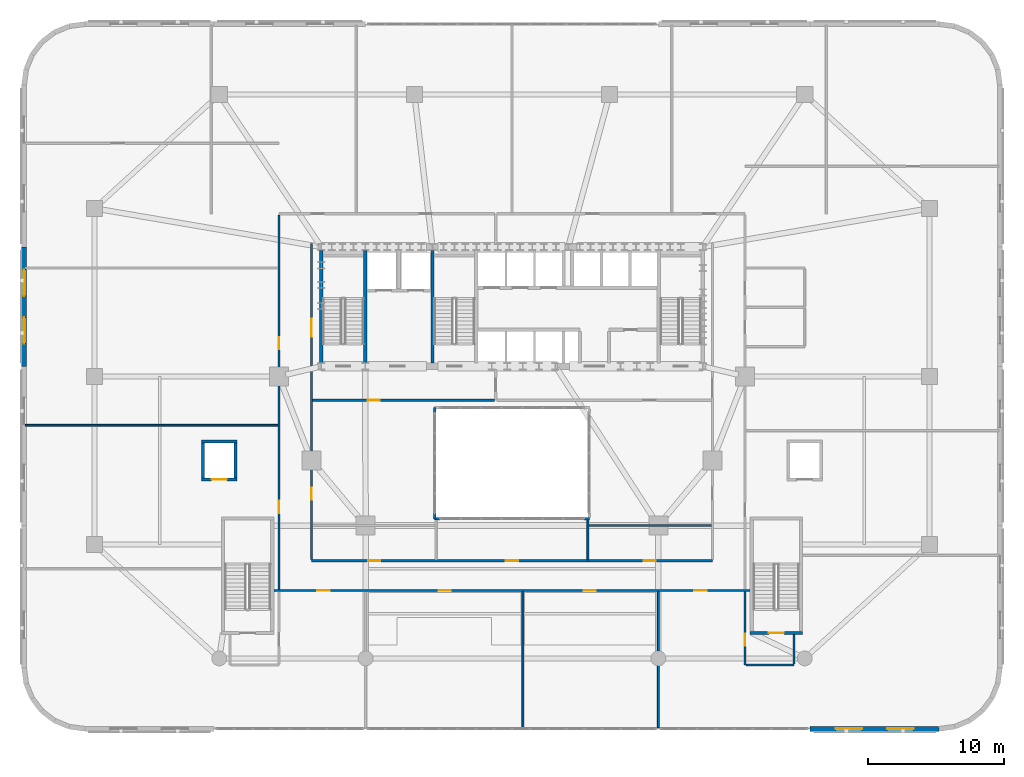
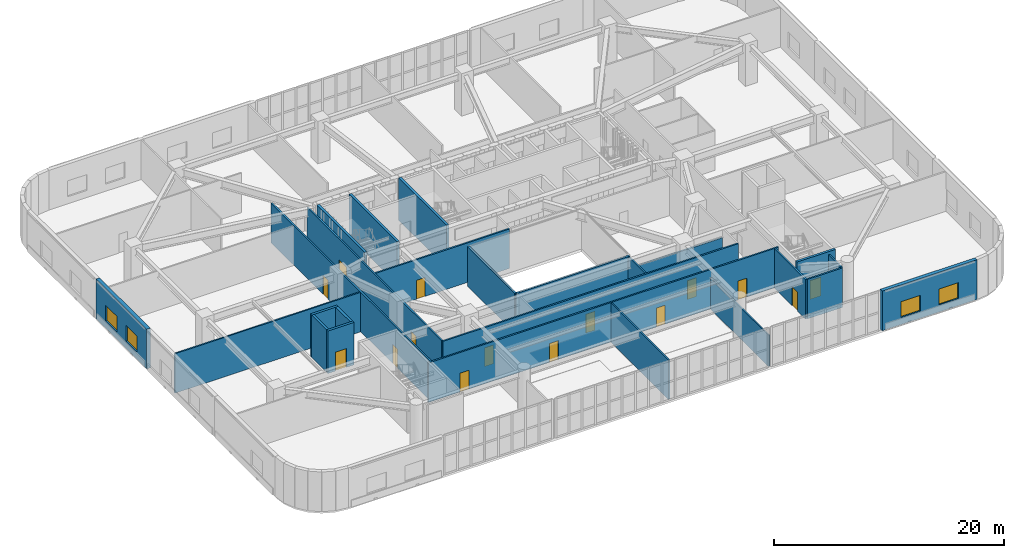
# One storey, part 14 of 25: 25 walls, 15 doors, 4 windows, 19 openings.
"""IFC4 building model written with IfcOpenShell, lengths in metres."""

from ifc_helpers import new_model, si_unit, direction, frame, frame_2d, origin, place, context, subcontext, project, spatial, rectangle, extrude, material, layer, layer_set, type_object, element, fill, save


model = new_model("IFC4")

# Units and contexts
model_context = context("Model", 3, precision=1e-05, world=origin(), true_north=direction((0.0, 1.0)))
body_context = subcontext(model_context, "Body", "Model", "MODEL_VIEW")
ifc_project = project(units=[si_unit("LENGTHUNIT", "METRE"), si_unit("AREAUNIT", "SQUARE_METRE"), si_unit("VOLUMEUNIT", "CUBIC_METRE"), si_unit("PLANEANGLEUNIT", "RADIAN"), si_unit("MASSUNIT", "GRAM", prefix="KILO")], contexts=[model_context])

# Site, building, storey
site_placement = place(None, origin())
site = spatial("IfcSite", under=ifc_project, at=site_placement, CompositionType="ELEMENT")
building_placement = place(site_placement, origin())
building = spatial("IfcBuilding", under=site, at=building_placement, Name="Haldorwick Loom Tower", CompositionType="ELEMENT")
storey_placement = place(building_placement, frame((0.0, 0.0, 10.5)))
storey = spatial("IfcBuildingStorey", under=building, at=storey_placement, Name="L02", CompositionType="ELEMENT", Elevation=10.5)

# Wall, openings, windows
ifc_material_1 = material(Name="Pressed Clay Face Brick and Insulated Masonry Backup Assembly", Category="masonry")
ifc_layer_1 = layer(ifc_material_1, 0.360107421875, Name="Pressed Clay Face Brick and Insulated Masonry Backup Assembly", Category="masonry")
ifc_layer_set_1 = layer_set([ifc_layer_1], Name="Pressed Clay Face Brick and Insulated Masonry Backup Assembly")
wall_type_1 = type_object("IfcWallType", Name="ARC-WL-EXT360", PredefinedType="STANDARD", material=ifc_layer_set_1)
wall_1_placement = place(storey_placement, frame((0.0, 35.550048828125, 0.0), z_axis=(0.0, 0.0, 1.0), x_axis=(0.0, -1.0, 0.0)))
wall_1 = element("IfcWall", 1, at=wall_1_placement, inside=storey, type_object=wall_type_1, Name="L02 Brick Pier and Spandrel Wall 29", PredefinedType="STANDARD", context=body_context, shape_type="SweptSolid", body=[
    extrude(rectangle(XDim=8.800048828125, YDim=0.360107421875, at=frame_2d((4.39990234375, 0.0))), origin(), (0.0, 0.0, 1.0), 4.199951171875),
])
opening_1_placement = place(wall_1_placement, frame((1.6650390625, 0.0, 0.75)))
opening_1 = element("IfcOpeningElement", 2, at=opening_1_placement, cuts=wall_1, Name="Opening W-04B", PredefinedType="OPENING", context=body_context, shape_type="SweptSolid", body=[
    extrude(rectangle(XDim=1.949951171875, YDim=1.679931640625, at=frame_2d((0.97509765625, 0.83984375))), frame((0.0, 0.18994140625, 0.0), z_axis=(0.0, -1.0, 0.0), x_axis=(1.0, 0.0, 0.0)), (0.0, 0.0, 1.0), 0.380126953125),
])
opening_2_placement = place(wall_1_placement, frame((5.18505859375, 0.0, 0.75)))
opening_2 = element("IfcOpeningElement", 3, at=opening_2_placement, cuts=wall_1, Name="Opening W-04B", PredefinedType="OPENING", context=body_context, shape_type="SweptSolid", body=[
    extrude(rectangle(XDim=1.949951171875, YDim=1.679931640625, at=frame_2d((0.97509765625, 0.83984375))), frame((0.0, 0.18994140625, 0.0), z_axis=(0.0, -1.0, 0.0), x_axis=(1.0, 0.0, 0.0)), (0.0, 0.0, 1.0), 0.380126953125),
])
ifc_material_2 = material(Name="Triple-Glazed Low-E Argon Insulated Glazing Unit", Category="glass")
window_type = type_object("IfcWindowType", Name="ARC-WIN-W195", PartitioningType="SINGLE_PANEL", PredefinedType="WINDOW", material=ifc_material_2)
window_1_placement = place(opening_1_placement, origin())
window_1 = element("IfcWindow", 4, at=window_1_placement, inside=storey, type_object=window_type, Name="L02 Deep-Set Zone 7A Window 29", OverallHeight=1.679931640625, OverallWidth=1.949951171875, PartitioningType="SINGLE_PANEL", PredefinedType="WINDOW", context=body_context, shape_type="SweptSolid", body=[
    extrude(rectangle(XDim=1.949951171875, YDim=1.679931640625, at=frame_2d((0.97509765625, 0.83984375))), frame((0.0, 0.030029296875, 0.0), z_axis=(0.0, -1.0, 0.0), x_axis=(1.0, 0.0, 0.0)), (0.0, 0.0, 1.0), 0.06005859375),
])
fill(opening_1, window_1)
window_2_placement = place(opening_2_placement, origin())
window_2 = element("IfcWindow", 5, at=window_2_placement, inside=storey, type_object=window_type, Name="L02 Deep-Set Zone 7A Window 29", OverallHeight=1.679931640625, OverallWidth=1.949951171875, PartitioningType="SINGLE_PANEL", PredefinedType="WINDOW", context=body_context, shape_type="SweptSolid", body=[
    extrude(rectangle(XDim=1.949951171875, YDim=1.679931640625, at=frame_2d((0.97509765625, 0.83984375))), frame((0.0, 0.030029296875, 0.0), z_axis=(0.0, -1.0, 0.0), x_axis=(1.0, 0.0, 0.0)), (0.0, 0.0, 1.0), 0.06005859375),
])
fill(opening_2, window_2)

wall_2_placement = place(storey_placement, frame((58.0, 0.0, 0.0), z_axis=(0.0, 0.0, 1.0), x_axis=(1.0, 0.0, 0.0)))
wall_2 = element("IfcWall", 6, at=wall_2_placement, inside=storey, type_object=wall_type_1, Name="L02 Brick Pier and Spandrel Wall 42", PredefinedType="STANDARD", context=body_context, shape_type="SweptSolid", body=[
    extrude(rectangle(XDim=9.5, YDim=0.360107421875, at=frame_2d((4.75, 0.0))), origin(), (0.0, 0.0, 1.0), 4.199951171875),
])
opening_3_placement = place(wall_2_placement, frame((1.875, 0.0, 0.75)))
opening_3 = element("IfcOpeningElement", 7, at=opening_3_placement, cuts=wall_2, Name="Opening W-04B", PredefinedType="OPENING", context=body_context, shape_type="SweptSolid", body=[
    extrude(rectangle(XDim=1.949951171875, YDim=1.679931640625, at=frame_2d((0.97509765625, 0.83984375))), frame((0.0, 0.18994140625, 0.0), z_axis=(0.0, -1.0, 0.0), x_axis=(1.0, 0.0, 0.0)), (0.0, 0.0, 1.0), 0.380126953125),
])
opening_4_placement = place(wall_2_placement, frame((5.675048828125, 0.0, 0.75)))
opening_4 = element("IfcOpeningElement", 8, at=opening_4_placement, cuts=wall_2, Name="Opening W-04B", PredefinedType="OPENING", context=body_context, shape_type="SweptSolid", body=[
    extrude(rectangle(XDim=1.949951171875, YDim=1.679931640625, at=frame_2d((0.97509765625, 0.83984375))), frame((0.0, 0.18994140625, 0.0), z_axis=(0.0, -1.0, 0.0), x_axis=(1.0, 0.0, 0.0)), (0.0, 0.0, 1.0), 0.380126953125),
])
window_3_placement = place(opening_3_placement, origin())
window_3 = element("IfcWindow", 9, at=window_3_placement, inside=storey, type_object=window_type, Name="L02 Deep-Set Zone 7A Window 42", OverallHeight=1.679931640625, OverallWidth=1.949951171875, PartitioningType="SINGLE_PANEL", PredefinedType="WINDOW", context=body_context, shape_type="SweptSolid", body=[
    extrude(rectangle(XDim=1.949951171875, YDim=1.679931640625, at=frame_2d((0.97509765625, 0.83984375))), frame((0.0, 0.030029296875, 0.0), z_axis=(0.0, -1.0, 0.0), x_axis=(1.0, 0.0, 0.0)), (0.0, 0.0, 1.0), 0.06005859375),
])
fill(opening_3, window_3)
window_4_placement = place(opening_4_placement, origin())
window_4 = element("IfcWindow", 10, at=window_4_placement, inside=storey, type_object=window_type, Name="L02 Deep-Set Zone 7A Window 42", OverallHeight=1.679931640625, OverallWidth=1.949951171875, PartitioningType="SINGLE_PANEL", PredefinedType="WINDOW", context=body_context, shape_type="SweptSolid", body=[
    extrude(rectangle(XDim=1.949951171875, YDim=1.679931640625, at=frame_2d((0.97509765625, 0.83984375))), frame((0.0, 0.030029296875, 0.0), z_axis=(0.0, -1.0, 0.0), x_axis=(1.0, 0.0, 0.0)), (0.0, 0.0, 1.0), 0.06005859375),
])
fill(opening_4, window_4)

# Wall, openings, doors
ifc_material_3 = material(Name="Fire-Rated Type X Gypsum Stud Assembly EI 60")
ifc_layer_2 = layer(ifc_material_3, 0.159912109375, Name="Fire-Rated Type X Gypsum Stud Assembly EI 60")
ifc_layer_set_2 = layer_set([ifc_layer_2], Name="Fire-Rated Type X Gypsum Stud Assembly EI 60")
wall_type_2 = type_object("IfcWallType", Name="ARC-WL-FIRE160", PredefinedType="PARTITIONING", material=ifc_layer_set_2)
wall_3_placement = place(storey_placement, frame((18.443115234375, 10.199951171875, 0.0), z_axis=(0.0, 0.0, 1.0), x_axis=(1.0, 0.0, 0.0)))
wall_3 = element("IfcWall", 11, at=wall_3_placement, inside=storey, type_object=wall_type_2, Name="L02 Podium Partition L02-CS0", PredefinedType="PARTITIONING", context=body_context, shape_type="SweptSolid", body=[
    extrude(rectangle(XDim=35.11376953125, YDim=0.159912109375, at=frame_2d((17.556884765625, 0.0))), origin(), (0.0, 0.0, 1.0), 4.18505859375),
])
opening_5_placement = place(wall_3_placement, frame((12.137939453125, 0.0, 0.0)))
opening_5 = element("IfcOpeningElement", 12, at=opening_5_placement, cuts=wall_3, Name="Opening D-FD60A", PredefinedType="OPENING", context=body_context, shape_type="SweptSolid", body=[
    extrude(rectangle(XDim=0.89990234375, YDim=2.0, at=frame_2d((0.449951171875, 1.0))), frame((0.0, 0.08984375, 0.0), z_axis=(0.0, -1.0, 0.0), x_axis=(1.0, 0.0, 0.0)), (0.0, 0.0, 1.0), 0.179931640625),
])
opening_6_placement = place(wall_3_placement, frame((22.848876953125, 0.0, 0.0)))
opening_6 = element("IfcOpeningElement", 13, at=opening_6_placement, cuts=wall_3, Name="Opening D-FD60A", PredefinedType="OPENING", context=body_context, shape_type="SweptSolid", body=[
    extrude(rectangle(XDim=0.89990234375, YDim=2.0, at=frame_2d((0.449951171875, 1.0))), frame((0.0, 0.08984375, 0.0), z_axis=(0.0, -1.0, 0.0), x_axis=(1.0, 0.0, 0.0)), (0.0, 0.0, 1.0), 0.179931640625),
])
opening_7_placement = place(wall_3_placement, frame((31.02001953125, 0.0, 0.0)))
opening_7 = element("IfcOpeningElement", 14, at=opening_7_placement, cuts=wall_3, Name="Opening D-FD60A", PredefinedType="OPENING", context=body_context, shape_type="SweptSolid", body=[
    extrude(rectangle(XDim=0.89990234375, YDim=2.0, at=frame_2d((0.449951171875, 1.0))), frame((0.0, 0.08984375, 0.0), z_axis=(0.0, -1.0, 0.0), x_axis=(1.0, 0.0, 0.0)), (0.0, 0.0, 1.0), 0.179931640625),
])
opening_8_placement = place(wall_3_placement, frame((3.19384765625, 0.0, 0.0)))
opening_8 = element("IfcOpeningElement", 15, at=opening_8_placement, cuts=wall_3, Name="Opening D-FD60A", PredefinedType="OPENING", context=body_context, shape_type="SweptSolid", body=[
    extrude(rectangle(XDim=0.89990234375, YDim=2.0, at=frame_2d((0.449951171875, 1.0))), frame((0.0, 0.08984375, 0.0), z_axis=(0.0, -1.0, 0.0), x_axis=(1.0, 0.0, 0.0)), (0.0, 0.0, 1.0), 0.179931640625),
])
ifc_material_4 = material(Name="Hollow Steel Fire Door Assembly", Category="steel")
door_type_1 = type_object("IfcDoorType", Name="ARC-DR-FD60-90", OperationType="NOTDEFINED", PredefinedType="DOOR", material=ifc_material_4)
door_1_placement = place(opening_5_placement, origin())
door_1 = element("IfcDoor", 16, at=door_1_placement, inside=storey, type_object=door_type_1, Name="L02 L02 South Clinic Corridor to Primary Care Examination Room 1 Door", OperationType="SINGLE_SWING_RIGHT", OverallHeight=2.0, OverallWidth=0.89990234375, PredefinedType="DOOR", context=body_context, shape_type="SweptSolid", body=[
    extrude(rectangle(XDim=0.89990234375, YDim=2.0, at=frame_2d((0.449951171875, 1.0))), frame((0.0, 0.02490234375, 0.0), z_axis=(0.0, -1.0, 0.0), x_axis=(1.0, 0.0, 0.0)), (0.0, 0.0, 1.0), 0.050048828125),
])
fill(opening_5, door_1)
door_2_placement = place(opening_6_placement, origin())
door_2 = element("IfcDoor", 17, at=door_2_placement, inside=storey, type_object=door_type_1, Name="L02 L02 South Clinic Corridor to Physician Consulting Office 2 Door", OperationType="SINGLE_SWING_LEFT", OverallHeight=2.0, OverallWidth=0.89990234375, PredefinedType="DOOR", context=body_context, shape_type="SweptSolid", body=[
    extrude(rectangle(XDim=0.89990234375, YDim=2.0, at=frame_2d((0.449951171875, 1.0))), frame((0.0, 0.02490234375, 0.0), z_axis=(0.0, -1.0, 0.0), x_axis=(1.0, 0.0, 0.0)), (0.0, 0.0, 1.0), 0.050048828125),
])
fill(opening_6, door_2)
door_3_placement = place(opening_7_placement, origin())
door_3 = element("IfcDoor", 18, at=door_3_placement, inside=storey, type_object=door_type_1, Name="L02 L02 South Clinic Corridor to Outpatient Waiting Hall 4 Door", OperationType="SINGLE_SWING_RIGHT", OverallHeight=2.0, OverallWidth=0.89990234375, PredefinedType="DOOR", context=body_context, shape_type="SweptSolid", body=[
    extrude(rectangle(XDim=0.89990234375, YDim=2.0, at=frame_2d((0.449951171875, 1.0))), frame((0.0, 0.02490234375, 0.0), z_axis=(0.0, -1.0, 0.0), x_axis=(1.0, 0.0, 0.0)), (0.0, 0.0, 1.0), 0.050048828125),
])
fill(opening_7, door_3)
door_4_placement = place(opening_8_placement, origin())
door_4 = element("IfcDoor", 19, at=door_4_placement, inside=storey, type_object=door_type_1, Name="L02 L02 South Clinic Corridor to Outpatient Waiting Hall 3 Door", OperationType="SINGLE_SWING_LEFT", OverallHeight=2.0, OverallWidth=0.89990234375, PredefinedType="DOOR", context=body_context, shape_type="SweptSolid", body=[
    extrude(rectangle(XDim=0.89990234375, YDim=2.0, at=frame_2d((0.449951171875, 1.0))), frame((0.0, 0.02490234375, 0.0), z_axis=(0.0, -1.0, 0.0), x_axis=(1.0, 0.0, 0.0)), (0.0, 0.0, 1.0), 0.050048828125),
])
fill(opening_8, door_4)

wall_4_placement = place(storey_placement, frame((21.199951171875, 12.39990234375, 0.0), z_axis=(0.0, 0.0, 1.0), x_axis=(1.0, 0.0, 0.0)))
wall_4 = element("IfcWall", 20, at=wall_4_placement, inside=storey, type_object=wall_type_2, Name="L02 Podium Partition L02-CS1", PredefinedType="PARTITIONING", context=body_context, shape_type="SweptSolid", body=[
    extrude(rectangle(XDim=29.60009765625, YDim=0.159912109375, at=frame_2d((14.800048828125, 0.0))), origin(), (0.0, 0.0, 1.0), 4.18505859375),
])
opening_9_placement = place(wall_4_placement, frame((14.35009765625, 0.0, 0.0)))
opening_9 = element("IfcOpeningElement", 21, at=opening_9_placement, cuts=wall_4, Name="Opening D-FD60A", PredefinedType="OPENING", context=body_context, shape_type="SweptSolid", body=[
    extrude(rectangle(XDim=0.89990234375, YDim=2.0, at=frame_2d((0.449951171875, 1.0))), frame((0.0, 0.08984375, 0.0), z_axis=(0.0, -1.0, 0.0), x_axis=(1.0, 0.0, 0.0)), (0.0, 0.0, 1.0), 0.179931640625),
])
opening_10_placement = place(wall_4_placement, frame((24.51123046875, 0.0, 0.0)))
opening_10 = element("IfcOpeningElement", 22, at=opening_10_placement, cuts=wall_4, Name="Opening D-FD60A", PredefinedType="OPENING", context=body_context, shape_type="SweptSolid", body=[
    extrude(rectangle(XDim=0.89990234375, YDim=2.0, at=frame_2d((0.449951171875, 1.0))), frame((0.0, 0.08984375, 0.0), z_axis=(0.0, -1.0, 0.0), x_axis=(1.0, 0.0, 0.0)), (0.0, 0.0, 1.0), 0.179931640625),
])
opening_11_placement = place(wall_4_placement, frame((4.188720703125, 0.0, 0.0)))
opening_11 = element("IfcOpeningElement", 23, at=opening_11_placement, cuts=wall_4, Name="Opening D-FD60A", PredefinedType="OPENING", context=body_context, shape_type="SweptSolid", body=[
    extrude(rectangle(XDim=0.89990234375, YDim=2.0, at=frame_2d((0.449951171875, 1.0))), frame((0.0, 0.08984375, 0.0), z_axis=(0.0, -1.0, 0.0), x_axis=(1.0, 0.0, 0.0)), (0.0, 0.0, 1.0), 0.179931640625),
])
door_5_placement = place(opening_9_placement, origin())
door_5 = element("IfcDoor", 24, at=door_5_placement, inside=storey, type_object=door_type_1, Name="L02 Diagnostic Imaging Suite 9 to L02 South Clinic Corridor Door", OperationType="SINGLE_SWING_LEFT", OverallHeight=2.0, OverallWidth=0.89990234375, PredefinedType="DOOR", context=body_context, shape_type="SweptSolid", body=[
    extrude(rectangle(XDim=0.89990234375, YDim=2.0, at=frame_2d((0.449951171875, 1.0))), frame((0.0, 0.02490234375, 0.0), z_axis=(0.0, -1.0, 0.0), x_axis=(1.0, 0.0, 0.0)), (0.0, 0.0, 1.0), 0.050048828125),
])
fill(opening_9, door_5)
door_6_placement = place(opening_10_placement, origin())
door_6 = element("IfcDoor", 25, at=door_6_placement, inside=storey, type_object=door_type_1, Name="L02 Physician Consulting Office 8 to L02 South Clinic Corridor Door", OperationType="SINGLE_SWING_RIGHT", OverallHeight=2.0, OverallWidth=0.89990234375, PredefinedType="DOOR", context=body_context, shape_type="SweptSolid", body=[
    extrude(rectangle(XDim=0.89990234375, YDim=2.0, at=frame_2d((0.449951171875, 1.0))), frame((0.0, 0.02490234375, 0.0), z_axis=(0.0, -1.0, 0.0), x_axis=(1.0, 0.0, 0.0)), (0.0, 0.0, 1.0), 0.050048828125),
])
fill(opening_10, door_6)
door_7_placement = place(opening_11_placement, origin())
door_7 = element("IfcDoor", 26, at=door_7_placement, inside=storey, type_object=door_type_1, Name="L02 Primary Care Examination Room 7 to L02 South Clinic Corridor Door", OperationType="SINGLE_SWING_LEFT", OverallHeight=2.0, OverallWidth=0.89990234375, PredefinedType="DOOR", context=body_context, shape_type="SweptSolid", body=[
    extrude(rectangle(XDim=0.89990234375, YDim=2.0, at=frame_2d((0.449951171875, 1.0))), frame((0.0, 0.02490234375, 0.0), z_axis=(0.0, -1.0, 0.0), x_axis=(1.0, 0.0, 0.0)), (0.0, 0.0, 1.0), 0.050048828125),
])
fill(opening_11, door_7)

# Wall, opening, door
wall_5_placement = place(storey_placement, frame((53.199951171875, 4.699951171875, 0.0), z_axis=(0.0, 0.0, 1.0), x_axis=(0.0, 1.0, 0.0)))
wall_5 = element("IfcWall", 27, at=wall_5_placement, inside=storey, type_object=wall_type_2, Name="L02 Podium Partition L02-SP2W", PredefinedType="PARTITIONING", context=body_context, shape_type="SweptSolid", body=[
    extrude(rectangle(XDim=5.4169921875, YDim=0.159912109375, at=frame_2d((2.70849609375, 0.0))), origin(), (0.0, 0.0, 1.0), 4.18505859375),
])
opening_12_placement = place(wall_5_placement, frame((1.419189453125, 0.0, 0.0)))
opening_12 = element("IfcOpeningElement", 28, at=opening_12_placement, cuts=wall_5, Name="Opening D-FD60A", PredefinedType="OPENING", context=body_context, shape_type="SweptSolid", body=[
    extrude(rectangle(XDim=0.89990234375, YDim=2.0, at=frame_2d((0.449951171875, 1.0))), frame((0.0, 0.08984375, 0.0), z_axis=(0.0, -1.0, 0.0), x_axis=(1.0, 0.0, 0.0)), (0.0, 0.0, 1.0), 0.179931640625),
])
door_8_placement = place(opening_12_placement, origin())
door_8 = element("IfcDoor", 29, at=door_8_placement, inside=storey, type_object=door_type_1, Name="L02 Outpatient Waiting Hall 4 to L02 East Stair Vestibule Door", OperationType="SINGLE_SWING_LEFT", OverallHeight=2.0, OverallWidth=0.89990234375, PredefinedType="DOOR", context=body_context, shape_type="SweptSolid", body=[
    extrude(rectangle(XDim=0.89990234375, YDim=2.0, at=frame_2d((0.449951171875, 1.0))), frame((0.0, 0.02490234375, 0.0), z_axis=(0.0, -1.0, 0.0), x_axis=(1.0, 0.0, 0.0)), (0.0, 0.0, 1.0), 0.050048828125),
])
fill(opening_12, door_8)

# Walls
wall_6_placement = place(storey_placement, frame((53.282958984375, 4.699951171875, 0.0), z_axis=(0.0, 0.0, 1.0), x_axis=(1.0, 0.0, 0.0)))
element("IfcWall", 30, at=wall_6_placement, inside=storey, type_object=wall_type_2, Name="L02 Podium Partition L02-SP2S", PredefinedType="PARTITIONING", context=body_context, shape_type="SweptSolid", body=[
    extrude(rectangle(XDim=3.51708984375, YDim=0.159912109375, at=frame_2d((1.758544921875, 0.0))), origin(), (0.0, 0.0, 1.0), 4.18505859375),
])
wall_7_placement = place(storey_placement, frame((56.800048828125, 4.782958984375, 0.0), z_axis=(0.0, 0.0, 1.0), x_axis=(0.0, 1.0, 0.0)))
element("IfcWall", 31, at=wall_7_placement, inside=storey, type_object=wall_type_2, Name="L02 Podium Partition L02-SP2E", PredefinedType="PARTITIONING", context=body_context, shape_type="SweptSolid", body=[
    extrude(rectangle(XDim=2.174072265625, YDim=0.159912109375, at=frame_2d((1.0869140625, 0.0))), origin(), (0.0, 0.0, 1.0), 4.18505859375),
])

# Wall, openings, doors
wall_8_placement = place(storey_placement, frame((18.800048828125, 10.282958984375, 0.0), z_axis=(0.0, 0.0, 1.0), x_axis=(0.0, 1.0, 0.0)))
wall_8 = element("IfcWall", 32, at=wall_8_placement, inside=storey, type_object=wall_type_2, Name="L02 Podium Partition L02-CW0", PredefinedType="PARTITIONING", context=body_context, shape_type="SweptSolid", body=[
    extrude(rectangle(XDim=27.634033203125, YDim=0.159912109375, at=frame_2d((13.81689453125, 0.0))), origin(), (0.0, 0.0, 1.0), 4.18505859375),
])
opening_13_placement = place(wall_8_placement, frame((5.62939453125, 0.0, 0.0)))
opening_13 = element("IfcOpeningElement", 33, at=opening_13_placement, cuts=wall_8, Name="Opening D-FD60A", PredefinedType="OPENING", context=body_context, shape_type="SweptSolid", body=[
    extrude(rectangle(XDim=0.89990234375, YDim=2.0, at=frame_2d((0.449951171875, 1.0))), frame((0.0, 0.08984375, 0.0), z_axis=(0.0, -1.0, 0.0), x_axis=(1.0, 0.0, 0.0)), (0.0, 0.0, 1.0), 0.179931640625),
])
opening_14_placement = place(wall_8_placement, frame((17.727294921875, 0.0, 0.0)))
opening_14 = element("IfcOpeningElement", 34, at=opening_14_placement, cuts=wall_8, Name="Opening D-FD60A", PredefinedType="OPENING", context=body_context, shape_type="SweptSolid", body=[
    extrude(rectangle(XDim=0.89990234375, YDim=2.0, at=frame_2d((0.449951171875, 1.0))), frame((0.0, 0.08984375, 0.0), z_axis=(0.0, -1.0, 0.0), x_axis=(1.0, 0.0, 0.0)), (0.0, 0.0, 1.0), 0.179931640625),
])
door_9_placement = place(opening_13_placement, frame((0.89990234375, 0.0, 0.0), z_axis=(0.0, 0.0, 1.0), x_axis=(-1.0, 0.0, 0.0)))
door_9 = element("IfcDoor", 35, at=door_9_placement, inside=storey, type_object=door_type_1, Name="L02 Outpatient Waiting Hall 10 to L02 South Clinic Corridor Door", OperationType="SINGLE_SWING_RIGHT", OverallHeight=2.0, OverallWidth=0.89990234375, PredefinedType="DOOR", context=body_context, shape_type="SweptSolid", body=[
    extrude(rectangle(XDim=0.89990234375, YDim=2.0, at=frame_2d((0.449951171875, 1.0))), frame((0.0, 0.02490234375, 0.0), z_axis=(0.0, -1.0, 0.0), x_axis=(1.0, 0.0, 0.0)), (0.0, 0.0, 1.0), 0.050048828125),
])
fill(opening_13, door_9)
door_10_placement = place(opening_14_placement, frame((0.89990234375, 0.0, 0.0), z_axis=(0.0, 0.0, 1.0), x_axis=(-1.0, 0.0, 0.0)))
door_10 = element("IfcDoor", 36, at=door_10_placement, inside=storey, type_object=door_type_1, Name="L02 Clinic Conference Room 17 to L02 South Clinic Corridor Door", OperationType="SINGLE_SWING_LEFT", OverallHeight=2.0, OverallWidth=0.89990234375, PredefinedType="DOOR", context=body_context, shape_type="SweptSolid", body=[
    extrude(rectangle(XDim=0.89990234375, YDim=2.0, at=frame_2d((0.449951171875, 1.0))), frame((0.0, 0.02490234375, 0.0), z_axis=(0.0, -1.0, 0.0), x_axis=(1.0, 0.0, 0.0)), (0.0, 0.0, 1.0), 0.050048828125),
])
fill(opening_14, door_10)

wall_9_placement = place(storey_placement, frame((21.199951171875, 12.48291015625, 0.0), z_axis=(0.0, 0.0, 1.0), x_axis=(0.0, 1.0, 0.0)))
wall_9 = element("IfcWall", 37, at=wall_9_placement, inside=storey, type_object=wall_type_2, Name="L02 Podium Partition L02-CW1", PredefinedType="PARTITIONING", context=body_context, shape_type="SweptSolid", body=[
    extrude(rectangle(XDim=23.317138671875, YDim=0.159912109375, at=frame_2d((11.65869140625, 0.0))), origin(), (0.0, 0.0, 1.0), 4.18505859375),
])
opening_15_placement = place(wall_9_placement, frame((16.43603515625, 0.0, 0.0)))
opening_15 = element("IfcOpeningElement", 38, at=opening_15_placement, cuts=wall_9, Name="Opening D-CR15", PredefinedType="OPENING", context=body_context, shape_type="SweptSolid", body=[
    extrude(rectangle(XDim=1.35009765625, YDim=2.0, at=frame_2d((0.675048828125, 1.0))), frame((0.0, 0.08984375, 0.0), z_axis=(0.0, -1.0, 0.0), x_axis=(1.0, 0.0, 0.0)), (0.0, 0.0, 1.0), 0.179931640625),
])
opening_16_placement = place(wall_9_placement, frame((4.405517578125, 0.0, 0.0)))
opening_16 = element("IfcOpeningElement", 39, at=opening_16_placement, cuts=wall_9, Name="Opening D-FD60A", PredefinedType="OPENING", context=body_context, shape_type="SweptSolid", body=[
    extrude(rectangle(XDim=0.89990234375, YDim=2.0, at=frame_2d((0.449951171875, 1.0))), frame((0.0, 0.08984375, 0.0), z_axis=(0.0, -1.0, 0.0), x_axis=(1.0, 0.0, 0.0)), (0.0, 0.0, 1.0), 0.179931640625),
])
ifc_material_5 = material(Name="Thermally Broken Anodized Aluminium and Tempered Glass", Category="aluminium")
door_type_2 = type_object("IfcDoorType", Name="ARC-DR-COR150", OperationType="NOTDEFINED", PredefinedType="DOOR", material=ifc_material_5)
door_11_placement = place(opening_15_placement, origin())
door_11 = element("IfcDoor", 40, at=door_11_placement, inside=storey, type_object=door_type_2, Name="L02 L02 South Clinic Corridor to L02 West Core Corridor Door", OperationType="DOUBLE_DOOR_SINGLE_SWING", OverallHeight=2.0, OverallWidth=1.35009765625, PredefinedType="DOOR", context=body_context, shape_type="SweptSolid", body=[
    extrude(rectangle(XDim=1.35009765625, YDim=2.0, at=frame_2d((0.675048828125, 1.0))), frame((0.0, 0.02490234375, 0.0), z_axis=(0.0, -1.0, 0.0), x_axis=(1.0, 0.0, 0.0)), (0.0, 0.0, 1.0), 0.050048828125),
])
fill(opening_15, door_11)
door_12_placement = place(opening_16_placement, frame((0.89990234375, 0.0, 0.0), z_axis=(0.0, 0.0, 1.0), x_axis=(-1.0, 0.0, 0.0)))
door_12 = element("IfcDoor", 41, at=door_12_placement, inside=storey, type_object=door_type_1, Name="L02 L02 South Clinic Corridor to Clean Utility Store 12 Door", OperationType="SINGLE_SWING_RIGHT", OverallHeight=2.0, OverallWidth=0.89990234375, PredefinedType="DOOR", context=body_context, shape_type="SweptSolid", body=[
    extrude(rectangle(XDim=0.89990234375, YDim=2.0, at=frame_2d((0.449951171875, 1.0))), frame((0.0, 0.02490234375, 0.0), z_axis=(0.0, -1.0, 0.0), x_axis=(1.0, 0.0, 0.0)), (0.0, 0.0, 1.0), 0.050048828125),
])
fill(opening_16, door_12)

# Wall, opening, door
wall_10_placement = place(storey_placement, frame((21.282958984375, 24.25, 0.0), z_axis=(0.0, 0.0, 1.0), x_axis=(1.0, 0.0, 0.0)))
wall_10 = element("IfcWall", 42, at=wall_10_placement, inside=storey, type_object=wall_type_2, Name="L02 Podium Partition L02-CMN", PredefinedType="PARTITIONING", context=body_context, shape_type="SweptSolid", body=[
    extrude(rectangle(XDim=13.43408203125, YDim=0.159912109375, at=frame_2d((6.717041015625, 0.0))), origin(), (0.0, 0.0, 1.0), 4.18505859375),
])
opening_17_placement = place(wall_10_placement, frame((4.064697265625, 0.0, 0.0)))
opening_17 = element("IfcOpeningElement", 43, at=opening_17_placement, cuts=wall_10, Name="Opening D-FD60A", PredefinedType="OPENING", context=body_context, shape_type="SweptSolid", body=[
    extrude(rectangle(XDim=0.89990234375, YDim=2.0, at=frame_2d((0.449951171875, 1.0))), frame((0.0, 0.08984375, 0.0), z_axis=(0.0, -1.0, 0.0), x_axis=(1.0, 0.0, 0.0)), (0.0, 0.0, 1.0), 0.179931640625),
])
door_13_placement = place(opening_17_placement, origin())
door_13 = element("IfcDoor", 44, at=door_13_placement, inside=storey, type_object=door_type_1, Name="L02 L02 West Core Corridor to Clean Utility Store 12 Door", OperationType="SINGLE_SWING_LEFT", OverallHeight=2.0, OverallWidth=0.89990234375, PredefinedType="DOOR", context=body_context, shape_type="SweptSolid", body=[
    extrude(rectangle(XDim=0.89990234375, YDim=2.0, at=frame_2d((0.449951171875, 1.0))), frame((0.0, 0.02490234375, 0.0), z_axis=(0.0, -1.0, 0.0), x_axis=(1.0, 0.0, 0.0)), (0.0, 0.0, 1.0), 0.050048828125),
])
fill(opening_17, door_13)

# Walls
wall_11_placement = place(storey_placement, frame((41.673095703125, 15.0, 0.0), z_axis=(0.0, 0.0, 1.0), x_axis=(1.0, 0.0, 0.0)))
element("IfcWall", 45, at=wall_11_placement, inside=storey, type_object=wall_type_2, Name="L02 Podium Partition L02-PTE", PredefinedType="PARTITIONING", context=body_context, shape_type="SweptSolid", body=[
    extrude(rectangle(XDim=9.0439453125, YDim=0.159912109375, at=frame_2d((4.52197265625, 0.0))), origin(), (0.0, 0.0, 1.0), 3.262939453125),
])
ifc_material_6 = material(Name="Fire-Rated Type X Gypsum Stud Assembly EI 120")
ifc_layer_3 = layer(ifc_material_6, 0.199951171875, Name="Fire-Rated Type X Gypsum Stud Assembly EI 120")
ifc_layer_set_3 = layer_set([ifc_layer_3], Name="Fire-Rated Type X Gypsum Stud Assembly EI 120")
wall_type_3 = type_object("IfcWallType", Name="ARC-WL-FIRE200", PredefinedType="PARTITIONING", material=ifc_layer_set_3)
wall_12_placement = place(storey_placement, frame((41.699951171875, 15.5, 0.0), z_axis=(0.0, 0.0, 1.0), x_axis=(-1.0, 0.0, 0.0)))
element("IfcWall", 46, at=wall_12_placement, inside=storey, type_object=wall_type_3, Name="L02 Podium Atrium Wall", PredefinedType="PARTITIONING", context=body_context, shape_type="SweptSolid", body=[
    extrude(rectangle(XDim=11.39990234375, YDim=0.199951171875, at=frame_2d((5.699951171875, 0.0))), origin(), (0.0, 0.0, 1.0), 4.18505859375),
])
wall_13_placement = place(storey_placement, frame((30.300048828125, 15.5, 0.0), z_axis=(0.0, 0.0, 1.0), x_axis=(0.0, 1.0, 0.0)))
element("IfcWall", 47, at=wall_13_placement, inside=storey, type_object=wall_type_3, Name="L02 Podium Atrium Wall", PredefinedType="PARTITIONING", context=body_context, shape_type="SweptSolid", body=[
    extrude(rectangle(XDim=8.199951171875, YDim=0.199951171875, at=frame_2d((4.10009765625, 0.0))), origin(), (0.0, 0.0, 1.0), 4.18505859375),
])
ifc_layer_4 = layer(ifc_material_3, 0.139892578125, Name="Fire-Rated Type X Gypsum Stud Assembly EI 60")
ifc_layer_set_4 = layer_set([ifc_layer_4], Name="Fire-Rated Type X Gypsum Stud Assembly EI 60")
wall_type_4 = type_object("IfcWallType", Name="ARC-WL-PART140", PredefinedType="PARTITIONING", material=ifc_layer_set_4)
wall_14_placement = place(storey_placement, frame((41.60009765625, 12.48291015625, 0.0), z_axis=(0.0, 0.0, 1.0), x_axis=(0.0, 1.0, 0.0)))
element("IfcWall", 48, at=wall_14_placement, inside=storey, type_object=wall_type_4, Name="L02 Podium Partition L02-ATE1", PredefinedType="PARTITIONING", context=body_context, shape_type="SweptSolid", body=[
    extrude(rectangle(XDim=2.9140625, YDim=0.139892578125, at=frame_2d((1.45703125, 0.0))), origin(), (0.0, 0.0, 1.0), 4.18505859375),
])
wall_15_placement = place(storey_placement, frame((36.800048828125, 0.10009765625, 0.0), z_axis=(0.0, 0.0, 1.0), x_axis=(0.0, 1.0, 0.0)))
element("IfcWall", 49, at=wall_15_placement, inside=storey, type_object=wall_type_4, Name="L02 Podium Partition L02-PS-1", PredefinedType="PARTITIONING", context=body_context, shape_type="SweptSolid", body=[
    extrude(rectangle(XDim=10.016845703125, YDim=0.139892578125, at=frame_2d((5.00830078125, 0.0))), origin(), (0.0, 0.0, 1.0), 4.18505859375),
])
wall_16_placement = place(storey_placement, frame((46.800048828125, 0.10009765625, 0.0), z_axis=(0.0, 0.0, 1.0), x_axis=(0.0, 1.0, 0.0)))
element("IfcWall", 50, at=wall_16_placement, inside=storey, type_object=wall_type_4, Name="L02 Podium Partition L02-PS-2", PredefinedType="PARTITIONING", context=body_context, shape_type="SweptSolid", body=[
    extrude(rectangle(XDim=10.016845703125, YDim=0.139892578125, at=frame_2d((5.00830078125, 0.0))), origin(), (0.0, 0.0, 1.0), 3.320068359375),
])
wall_17_placement = place(storey_placement, frame((0.10009765625, 22.39990234375, 0.0), z_axis=(0.0, 0.0, 1.0), x_axis=(1.0, 0.0, 0.0)))
element("IfcWall", 51, at=wall_17_placement, inside=storey, type_object=wall_type_4, Name="L02 Podium Partition L02-PW-1", PredefinedType="PARTITIONING", context=body_context, shape_type="SweptSolid", body=[
    extrude(rectangle(XDim=18.616943359375, YDim=0.139892578125, at=frame_2d((9.30859375, 0.0))), origin(), (0.0, 0.0, 1.0), 4.18505859375),
])
ifc_material_7 = material(Name="Concrete C50 (50 MPa)", Category="concrete")
ifc_layer_5 = layer(ifc_material_7, 0.239990234375, Name="Concrete C50 (50 MPa)", Category="concrete")
ifc_layer_set_5 = layer_set([ifc_layer_5], Name="Concrete C50 (50 MPa)")
wall_type_5 = type_object("IfcWallType", Name="STR-WL-SHAFT240", PredefinedType="SHEAR", material=ifc_layer_set_5)
for number, where, z_axis, x_axis, name in (
    (52, (21.929931640625, 35.297119140625, 0.0), (0.0, 0.0, 1.0), (0.0, -1.0, 0.0), "L02 Core Shear Wall W"),
    (53, (25.169921875, 27.0029296875, 0.0), (0.0, 0.0, 1.0), (0.0, 1.0, 0.0), "L02 Core Shear Wall 1"),
    (54, (30.1298828125, 27.0029296875, 0.0), (0.0, 0.0, 1.0), (0.0, 1.0, 0.0), "L02 Core Shear Wall 2"),
):
    element("IfcWall", number, at=place(storey_placement, frame(where, z_axis=z_axis, x_axis=x_axis)), inside=storey, type_object=wall_type_5, Name=name, PredefinedType="SHEAR", context=body_context, shape_type="SweptSolid", body=[
        extrude(rectangle(XDim=8.294189453125, YDim=0.239990234375, at=frame_2d((4.14697265625, 0.0))), origin(), (0.0, 0.0, 1.0), 4.5),
    ])

# Wall, opening, door
wall_18_placement = place(storey_placement, frame((53.56005859375, 7.080078125, 0.0), z_axis=(0.0, 0.0, 1.0), x_axis=(1.0, 0.0, 0.0)))
wall_18 = element("IfcWall", 55, at=wall_18_placement, inside=storey, type_object=wall_type_5, Name="L02 Exit Stairwell ST-P2 Wall", PredefinedType="SHEAR", context=body_context, shape_type="SweptSolid", body=[
    extrude(rectangle(XDim=3.8798828125, YDim=0.239990234375, at=frame_2d((1.93994140625, 0.0))), origin(), (0.0, 0.0, 1.0), 4.5),
])
opening_18_placement = place(wall_18_placement, frame((1.389892578125, 0.0, 0.0)))
opening_18 = element("IfcOpeningElement", 56, at=opening_18_placement, cuts=wall_18, Name="Opening D-FD90", PredefinedType="OPENING", context=body_context, shape_type="SweptSolid", body=[
    extrude(rectangle(XDim=1.10009765625, YDim=2.0, at=frame_2d((0.550048828125, 1.0))), frame((0.0, 0.1298828125, 0.0), z_axis=(0.0, -1.0, 0.0), x_axis=(1.0, 0.0, 0.0)), (0.0, 0.0, 1.0), 0.260009765625),
])
door_type_3 = type_object("IfcDoorType", Name="ARC-DR-FD90", OperationType="NOTDEFINED", PredefinedType="DOOR", material=ifc_material_4)
door_14_placement = place(opening_18_placement, origin())
door_14 = element("IfcDoor", 57, at=door_14_placement, inside=storey, type_object=door_type_3, Name="L02 Exit Stairwell ST-P2 Exit Door", OperationType="SINGLE_SWING_RIGHT", OverallHeight=2.0, OverallWidth=1.10009765625, PredefinedType="DOOR", context=body_context, shape_type="SweptSolid", body=[
    extrude(rectangle(XDim=1.10009765625, YDim=2.0, at=frame_2d((0.550048828125, 1.0))), frame((0.0, 0.02490234375, 0.0), z_axis=(0.0, -1.0, 0.0), x_axis=(1.0, 0.0, 0.0)), (0.0, 0.0, 1.0), 0.050048828125),
])
fill(opening_18, door_14)

wall_19_placement = place(storey_placement, frame((13.080078125, 18.39990234375, 0.0), z_axis=(0.0, 0.0, 1.0), x_axis=(1.0, 0.0, 0.0)))
wall_19 = element("IfcWall", 58, at=wall_19_placement, inside=storey, type_object=wall_type_5, Name="L02 Podium Lift Shaft LF-P1 Wall", PredefinedType="SHEAR", context=body_context, shape_type="SweptSolid", body=[
    extrude(rectangle(XDim=2.639892578125, YDim=0.239990234375, at=frame_2d((1.31982421875, 0.0))), origin(), (0.0, 0.0, 1.0), 4.5),
])
opening_19_placement = place(wall_19_placement, frame((0.760009765625, 0.0, 0.0)))
opening_19 = element("IfcOpeningElement", 59, at=opening_19_placement, cuts=wall_19, Name="Opening LD-P1", PredefinedType="OPENING", context=body_context, shape_type="SweptSolid", body=[
    extrude(rectangle(XDim=1.1201171875, YDim=2.0, at=frame_2d((0.56005859375, 1.0))), frame((0.0, 0.1298828125, 0.0), z_axis=(0.0, -1.0, 0.0), x_axis=(1.0, 0.0, 0.0)), (0.0, 0.0, 1.0), 0.260009765625),
])
door_type_4 = type_object("IfcDoorType", Name="ARC-DR-LD-PAX", OperationType="NOTDEFINED", PredefinedType="USERDEFINED", material=ifc_material_4)
door_15_placement = place(opening_19_placement, origin())
door_15 = element("IfcDoor", 60, at=door_15_placement, inside=storey, type_object=door_type_4, Name="L02 Lift LF-P1 Sliding Landing Door", ObjectType="LANDING DOOR", OperationType="DOUBLE_DOOR_SLIDING", OverallHeight=2.0, OverallWidth=1.1201171875, PredefinedType="USERDEFINED", context=body_context, shape_type="SweptSolid", body=[
    extrude(rectangle(XDim=1.1201171875, YDim=2.0, at=frame_2d((0.56005859375, 1.0))), frame((0.0, 0.02490234375, 0.0), z_axis=(0.0, -1.0, 0.0), x_axis=(1.0, 0.0, 0.0)), (0.0, 0.0, 1.0), 0.050048828125),
])
fill(opening_19, door_15)

# Walls
wall_20_placement = place(storey_placement, frame((15.719970703125, 21.199951171875, 0.0), z_axis=(0.0, 0.0, 1.0), x_axis=(-1.0, 0.0, 0.0)))
element("IfcWall", 61, at=wall_20_placement, inside=storey, type_object=wall_type_5, Name="L02 Podium Lift Shaft LF-P1 Wall", PredefinedType="SHEAR", context=body_context, shape_type="SweptSolid", body=[
    extrude(rectangle(XDim=2.639892578125, YDim=0.239990234375, at=frame_2d((1.31982421875, 0.0))), origin(), (0.0, 0.0, 1.0), 4.5),
])
for number, where, z_axis, x_axis, name in (
    (62, (13.199951171875, 18.52294921875, 0.0), (0.0, 0.0, 1.0), (0.0, 1.0, 0.0), "L02 Podium Lift Shaft LF-P1 Wall"),
    (63, (15.60009765625, 18.52294921875, 0.0), (0.0, 0.0, 1.0), (0.0, 1.0, 0.0), "L02 Podium Lift Shaft LF-P1 Wall"),
):
    element("IfcWall", number, at=place(storey_placement, frame(where, z_axis=z_axis, x_axis=x_axis)), inside=storey, type_object=wall_type_5, Name=name, PredefinedType="SHEAR", context=body_context, shape_type="SweptSolid", body=[
        extrude(rectangle(XDim=2.553955078125, YDim=0.239990234375, at=frame_2d((1.27685546875, 0.0))), origin(), (0.0, 0.0, 1.0), 4.5),
    ])

save(model, "model.ifc")
